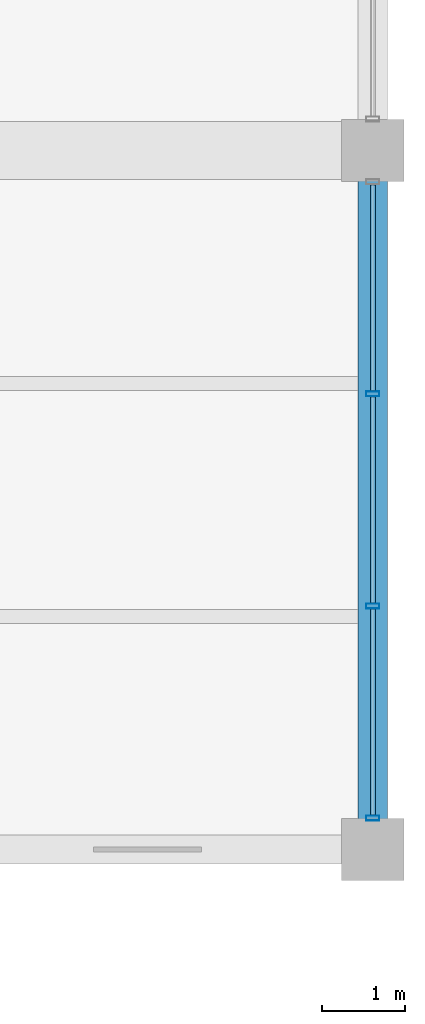
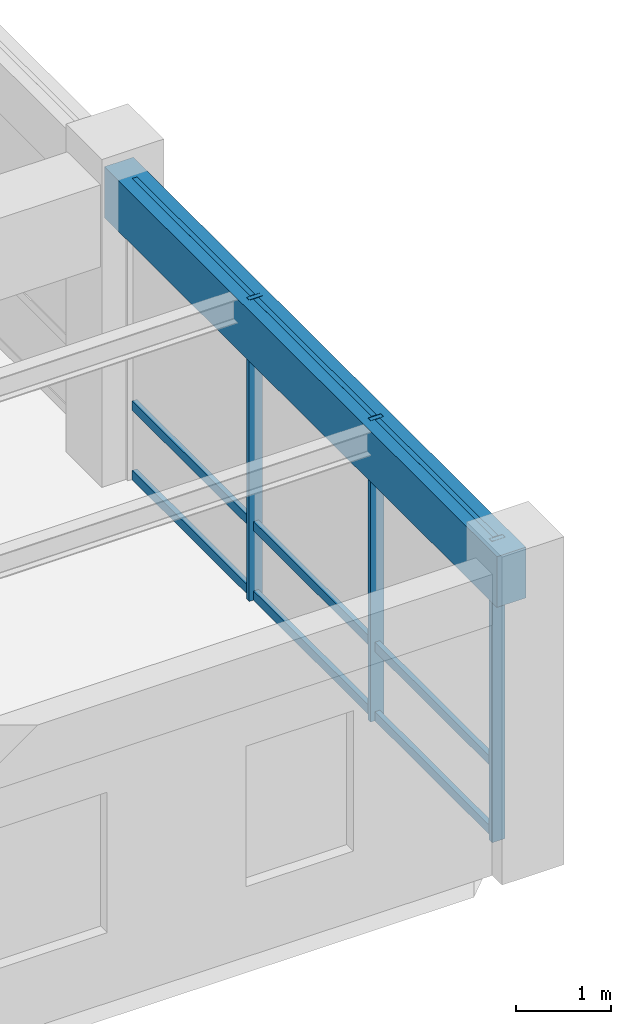
# One storey, part 93 of 152: 12 members, 1 beam, 1 element without a shape of its own.
"""IFC4 building model written with IfcOpenShell, lengths in metres."""

from ifc_helpers import new_model, si_unit, direction, frame, origin, origin_2d, place, context, subcontext, project, spatial, rectangle, hollow_rectangle, extrude, material, material_profile, profile_set, type_object, element, aggregate, save


model = new_model("IFC4")

# Units and contexts
model_context = context("Model", 3, precision=1e-05, world=origin(), true_north=direction((0.0, 1.0)))
body_context = subcontext(model_context, "Body", "Model", "MODEL_VIEW")
ifc_project = project(units=[si_unit("LENGTHUNIT", "METRE"), si_unit("AREAUNIT", "SQUARE_METRE"), si_unit("VOLUMEUNIT", "CUBIC_METRE"), si_unit("PLANEANGLEUNIT", "RADIAN"), si_unit("MASSUNIT", "GRAM", prefix="KILO"), si_unit("THERMODYNAMICTEMPERATUREUNIT", "KELVIN"), si_unit("POWERUNIT", "WATT")], contexts=[model_context])

# Site, building, storey
site_placement = place(None, origin())
site = spatial("IfcSite", under=ifc_project, at=site_placement, CompositionType="ELEMENT")
building_placement = place(site_placement, origin())
building = spatial("IfcBuilding", under=site, at=building_placement, Name="Darbajah Civic Hall", CompositionType="ELEMENT")
storey_placement = place(building_placement, frame((0.0, 0.0, 5.39990234375)))
storey = spatial("IfcBuildingStorey", under=building, at=storey_placement, Name="L01", CompositionType="ELEMENT", Elevation=5.39990234375)

# Curtain wall, members
ifc_material_1 = material(Name="Anodised Bronze Aluminium and Low-E Glazing", Category="aluminium")
curtain_wall_type = type_object("IfcCurtainWallType", Name="Unitised Curtain Wall CW-96 7600x3850", PredefinedType="USERDEFINED", material=ifc_material_1)
curtain_wall_placement = place(storey_placement, origin())
curtain_wall = element("IfcCurtainWall", 1, at=curtain_wall_placement, inside=storey, type_object=curtain_wall_type, Name="L01 unitised curtain wall CW-V4-L01-S1-B0", ObjectType="UNITISED CURTAIN WALL", PredefinedType="USERDEFINED")
ifc_material_2 = material(Name="Anodised Bronze Aluminium", Category="aluminium")
ifc_material_profile_1 = material_profile(ifc_material_2, hollow_rectangle(XDim=0.06005859375, YDim=0.159912109375, WallThickness=0.00341796875, at=origin_2d()), Name="ALU MULLION 60x160")
ifc_profile_set_1 = profile_set([ifc_material_profile_1], Name="Anodised Bronze Aluminium")
member_type_1 = type_object("IfcMemberType", Name="ALU MULLION 60x160", PredefinedType="MULLION", material=ifc_profile_set_1)
member_1_placement = place(storey_placement, frame((178.199951171875, 56.777099609375, 0.0), z_axis=(0.0, 0.0, 1.0), x_axis=(0.0, 1.0, 0.0)))
member_1 = element("IfcMember", 2, at=member_1_placement, type_object=member_type_1, Name="CW-V4-L01-S1-B0 mullion 1", PredefinedType="MULLION", context=body_context, shape_type="SweptSolid", body=[
    extrude(hollow_rectangle(XDim=0.06005859375, YDim=0.159912109375, WallThickness=0.00341796875, at=origin_2d()), origin(), (0.0, 0.0, 1.0), 3.860107421875),
])
member_2_placement = place(storey_placement, frame((178.199951171875, 59.32568359375, 0.0), z_axis=(0.0, 0.0, 1.0), x_axis=(0.0, 1.0, 0.0)))
member_2 = element("IfcMember", 3, at=member_2_placement, type_object=member_type_1, Name="CW-V4-L01-S1-B0 mullion 2", PredefinedType="MULLION", context=body_context, shape_type="SweptSolid", body=[
    extrude(hollow_rectangle(XDim=0.06005859375, YDim=0.159912109375, WallThickness=0.00341796875, at=origin_2d()), origin(), (0.0, 0.0, 1.0), 3.860107421875),
])
member_3_placement = place(storey_placement, frame((178.199951171875, 61.874267578125, 0.0), z_axis=(0.0, 0.0, 1.0), x_axis=(0.0, 1.0, 0.0)))
member_3 = element("IfcMember", 4, at=member_3_placement, type_object=member_type_1, Name="CW-V4-L01-S1-B0 mullion 3", PredefinedType="MULLION", context=body_context, shape_type="SweptSolid", body=[
    extrude(hollow_rectangle(XDim=0.06005859375, YDim=0.159912109375, WallThickness=0.00341796875, at=origin_2d()), origin(), (0.0, 0.0, 1.0), 3.860107421875),
])
ifc_material_profile_2 = material_profile(ifc_material_2, hollow_rectangle(XDim=0.06005859375, YDim=0.1201171875, WallThickness=0.003173828125, at=origin_2d()), Name="ALU TRANSOM 60x120")
ifc_profile_set_2 = profile_set([ifc_material_profile_2], Name="Anodised Bronze Aluminium")
member_type_2 = type_object("IfcMemberType", Name="ALU TRANSOM 60x120", PredefinedType="USERDEFINED", material=ifc_profile_set_2)
member_4_placement = place(storey_placement, frame((178.199951171875, 56.81201171875, 0.06005859375), z_axis=(0.0, 1.0, 0.0), x_axis=(-1.0, 0.0, 0.0)))
member_4 = element("IfcMember", 5, at=member_4_placement, type_object=member_type_2, Name="CW-V4-L01-S1-B0 transom 1.1", ObjectType="TRANSOM", PredefinedType="USERDEFINED", context=body_context, shape_type="SweptSolid", body=[
    extrude(hollow_rectangle(XDim=0.06005859375, YDim=0.1201171875, WallThickness=0.003173828125, at=origin_2d()), origin(), (0.0, 0.0, 1.0), 2.478759765625),
])
member_5_placement = place(storey_placement, frame((178.199951171875, 56.81201171875, 0.9501953125), z_axis=(0.0, 1.0, 0.0), x_axis=(-1.0, 0.0, 0.0)))
member_5 = element("IfcMember", 6, at=member_5_placement, type_object=member_type_2, Name="CW-V4-L01-S1-B0 transom 1.2", ObjectType="TRANSOM", PredefinedType="USERDEFINED", context=body_context, shape_type="SweptSolid", body=[
    extrude(hollow_rectangle(XDim=0.06005859375, YDim=0.1201171875, WallThickness=0.003173828125, at=origin_2d()), origin(), (0.0, 0.0, 1.0), 2.478759765625),
])
member_6_placement = place(storey_placement, frame((178.199951171875, 56.81201171875, 3.800048828125), z_axis=(0.0, 1.0, 0.0), x_axis=(-1.0, 0.0, 0.0)))
member_6 = element("IfcMember", 7, at=member_6_placement, type_object=member_type_2, Name="CW-V4-L01-S1-B0 transom 1.3", ObjectType="TRANSOM", PredefinedType="USERDEFINED", context=body_context, shape_type="SweptSolid", body=[
    extrude(hollow_rectangle(XDim=0.06005859375, YDim=0.1201171875, WallThickness=0.003173828125, at=origin_2d()), origin(), (0.0, 0.0, 1.0), 2.478759765625),
])
member_7_placement = place(storey_placement, frame((178.199951171875, 59.360595703125, 0.06005859375), z_axis=(0.0, 1.0, 0.0), x_axis=(-1.0, 0.0, 0.0)))
member_7 = element("IfcMember", 8, at=member_7_placement, type_object=member_type_2, Name="CW-V4-L01-S1-B0 transom 2.1", ObjectType="TRANSOM", PredefinedType="USERDEFINED", context=body_context, shape_type="SweptSolid", body=[
    extrude(hollow_rectangle(XDim=0.06005859375, YDim=0.1201171875, WallThickness=0.003173828125, at=origin_2d()), origin(), (0.0, 0.0, 1.0), 2.478759765625),
])
member_8_placement = place(storey_placement, frame((178.199951171875, 59.360595703125, 0.9501953125), z_axis=(0.0, 1.0, 0.0), x_axis=(-1.0, 0.0, 0.0)))
member_8 = element("IfcMember", 9, at=member_8_placement, type_object=member_type_2, Name="CW-V4-L01-S1-B0 transom 2.2", ObjectType="TRANSOM", PredefinedType="USERDEFINED", context=body_context, shape_type="SweptSolid", body=[
    extrude(hollow_rectangle(XDim=0.06005859375, YDim=0.1201171875, WallThickness=0.003173828125, at=origin_2d()), origin(), (0.0, 0.0, 1.0), 2.478759765625),
])
member_9_placement = place(storey_placement, frame((178.199951171875, 59.360595703125, 3.800048828125), z_axis=(0.0, 1.0, 0.0), x_axis=(-1.0, 0.0, 0.0)))
member_9 = element("IfcMember", 10, at=member_9_placement, type_object=member_type_2, Name="CW-V4-L01-S1-B0 transom 2.3", ObjectType="TRANSOM", PredefinedType="USERDEFINED", context=body_context, shape_type="SweptSolid", body=[
    extrude(hollow_rectangle(XDim=0.06005859375, YDim=0.1201171875, WallThickness=0.003173828125, at=origin_2d()), origin(), (0.0, 0.0, 1.0), 2.478759765625),
])
member_10_placement = place(storey_placement, frame((178.199951171875, 61.9091796875, 0.06005859375), z_axis=(0.0, 1.0, 0.0), x_axis=(-1.0, 0.0, 0.0)))
member_10 = element("IfcMember", 11, at=member_10_placement, type_object=member_type_2, Name="CW-V4-L01-S1-B0 transom 3.1", ObjectType="TRANSOM", PredefinedType="USERDEFINED", context=body_context, shape_type="SweptSolid", body=[
    extrude(hollow_rectangle(XDim=0.06005859375, YDim=0.1201171875, WallThickness=0.003173828125, at=origin_2d()), origin(), (0.0, 0.0, 1.0), 2.478759765625),
])
member_11_placement = place(storey_placement, frame((178.199951171875, 61.9091796875, 0.9501953125), z_axis=(0.0, 1.0, 0.0), x_axis=(-1.0, 0.0, 0.0)))
member_11 = element("IfcMember", 12, at=member_11_placement, type_object=member_type_2, Name="CW-V4-L01-S1-B0 transom 3.2", ObjectType="TRANSOM", PredefinedType="USERDEFINED", context=body_context, shape_type="SweptSolid", body=[
    extrude(hollow_rectangle(XDim=0.06005859375, YDim=0.1201171875, WallThickness=0.003173828125, at=origin_2d()), origin(), (0.0, 0.0, 1.0), 2.478759765625),
])
member_12_placement = place(storey_placement, frame((178.199951171875, 61.9091796875, 3.800048828125), z_axis=(0.0, 1.0, 0.0), x_axis=(-1.0, 0.0, 0.0)))
member_12 = element("IfcMember", 13, at=member_12_placement, type_object=member_type_2, Name="CW-V4-L01-S1-B0 transom 3.3", ObjectType="TRANSOM", PredefinedType="USERDEFINED", context=body_context, shape_type="SweptSolid", body=[
    extrude(hollow_rectangle(XDim=0.06005859375, YDim=0.1201171875, WallThickness=0.003173828125, at=origin_2d()), origin(), (0.0, 0.0, 1.0), 2.478759765625),
])
aggregate(curtain_wall, [member_1, member_2, member_3, member_4, member_5, member_6, member_7, member_8, member_9, member_10, member_11, member_12])

# Beam
ifc_material_3 = material(Name="Concrete C45/55", Category="concrete")
ifc_material_profile_3 = material_profile(ifc_material_3, rectangle(XDim=0.35009765625, YDim=0.64990234375, at=origin_2d()), Name="RC SPANDREL 350x650")
ifc_profile_set_3 = profile_set([ifc_material_profile_3], Name="Concrete C45/55")
beam_type = type_object("IfcBeamType", Name="RC SPANDREL 350x650", PredefinedType="SPANDREL", material=ifc_profile_set_3)
beam_placement = place(storey_placement, frame((178.199951171875, 56.47998046875, 3.53515625), z_axis=(0.0, 1.0, 0.0), x_axis=(-1.0, 0.0, 0.0)))
element("IfcBeam", 14, at=beam_placement, inside=storey, type_object=beam_type, Name="L01 beam SP-3565", PredefinedType="SPANDREL", context=body_context, shape_type="SweptSolid", body=[
    extrude(rectangle(XDim=0.35009765625, YDim=0.64990234375, at=origin_2d()), origin(), (0.0, 0.0, 1.0), 8.239990234375),
])

save(model, "model.ifc")
